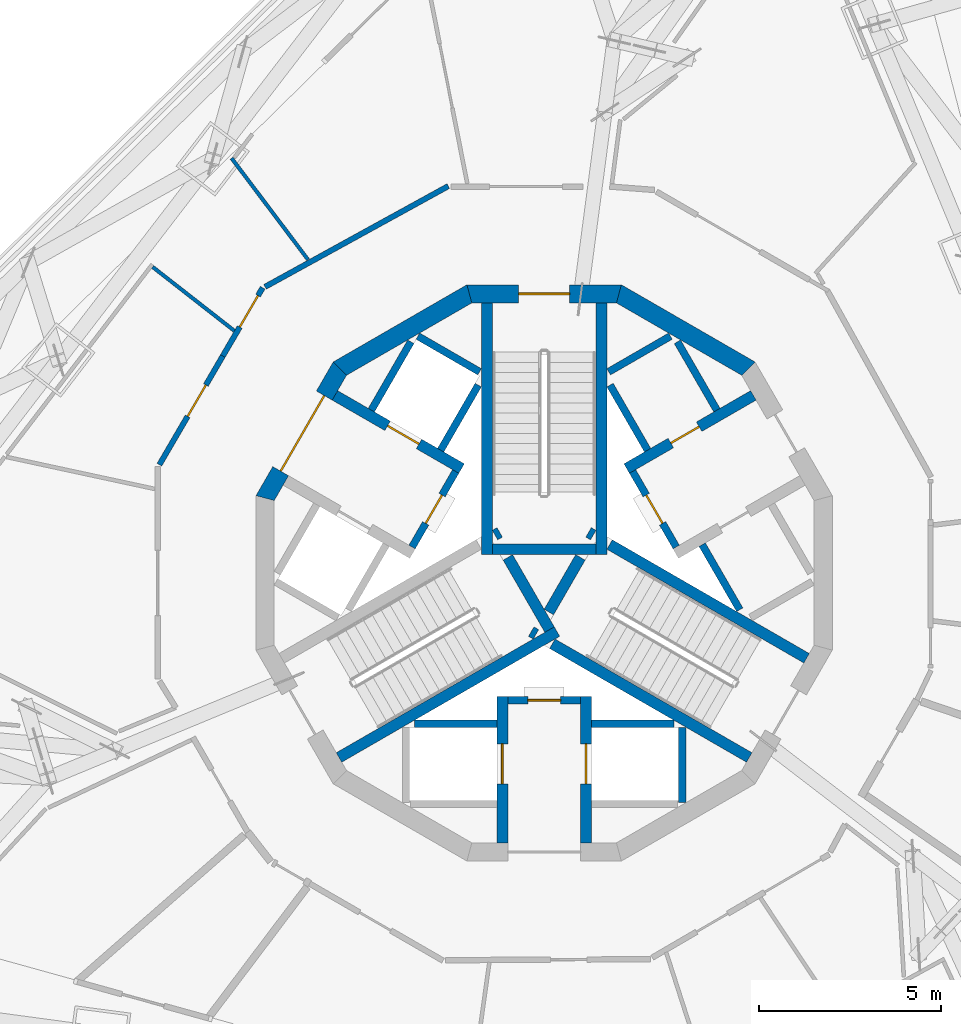
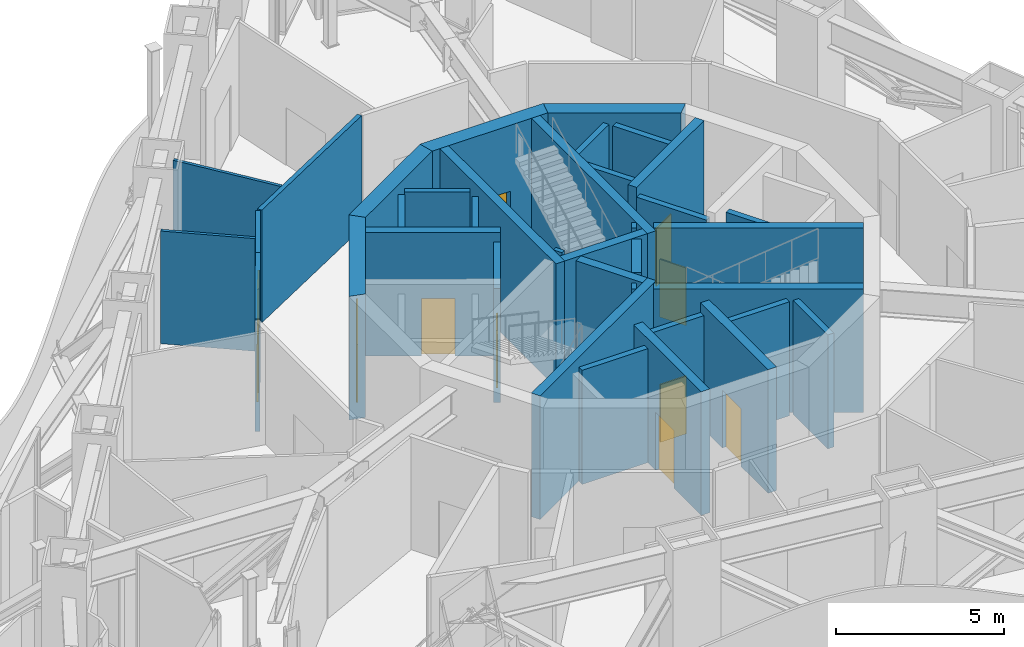
# One storey, part 11 of 22: 37 walls, 11 doors, 11 openings.
"""IFC4 building model written with IfcOpenShell, lengths in metres."""

from ifc_helpers import new_model, si_unit, direction, frame, frame_2d, origin, place, context, subcontext, project, spatial, polyline, rectangle, outline, extrude, material, layer, layer_set, type_object, element, fill, save


model = new_model("IFC4")

# Units and contexts
model_context = context("Model", 3, precision=1e-05, world=origin(), true_north=direction((0.0, 1.0)))
body_context = subcontext(model_context, "Body", "Model", "MODEL_VIEW")
ifc_project = project(units=[si_unit("LENGTHUNIT", "METRE"), si_unit("AREAUNIT", "SQUARE_METRE"), si_unit("VOLUMEUNIT", "CUBIC_METRE"), si_unit("PLANEANGLEUNIT", "RADIAN"), si_unit("MASSUNIT", "GRAM", prefix="KILO")], contexts=[model_context])

# Site, building, storey
site_placement = place(None, origin())
site = spatial("IfcSite", under=ifc_project, at=site_placement, CompositionType="ELEMENT")
building_placement = place(site_placement, origin())
building = spatial("IfcBuilding", under=site, at=building_placement, Name="Trine Commons Tower", CompositionType="ELEMENT")
storey_placement = place(building_placement, frame((0.0, 0.0, 267.300048828125)))
storey = spatial("IfcBuildingStorey", under=building, at=storey_placement, Name="L70", CompositionType="ELEMENT", Elevation=267.300048828125)

# Wall, opening, door
ifc_material_1 = material(Name="Plasterboard on steel stud", Category="steel")
ifc_layer_1 = layer(ifc_material_1, 0.14990234375)
ifc_layer_set_1 = layer_set([ifc_layer_1], Name="Plasterboard on steel stud")
wall_type_1 = type_object("IfcWallType", Name="Compartment wall 150 mm, EI 60", PredefinedType="PARTITIONING", material=ifc_layer_set_1)
wall_1_placement = place(storey_placement, frame((69.42431640625, 65.474365234375, 0.0), z_axis=(0.0, 0.0, 1.0), x_axis=(0.503879802446, 0.863773780968, 0.0)))
wall_1 = element("IfcWall", 1, at=wall_1_placement, inside=storey, type_object=wall_type_1, Name="Partition A70015", PredefinedType="PARTITIONING", context=body_context, shape_type="SweptSolid", body=[
    extrude(rectangle(XDim=3.458984375, YDim=0.14990234375, at=frame_2d((1.7294921875, 0.0))), origin(), (0.0, 0.0, 1.0), 4.099853515625),
])
opening_1_placement = place(wall_1_placement, frame((1.5361328125, 0.0, 0.0)))
opening_1 = element("IfcOpeningElement", 2, at=opening_1_placement, cuts=wall_1, Name="Opening D-A7002", PredefinedType="OPENING", context=body_context, shape_type="SweptSolid", body=[
    extrude(rectangle(XDim=1.0, YDim=2.10009765625, at=frame_2d((0.5, 1.050048828125))), frame((0.0, 0.0849609375, 0.0), z_axis=(0.0, -1.0, 0.0), x_axis=(1.0, 0.0, 0.0)), (0.0, 0.0, 1.0), 0.169921875),
])
ifc_material_2 = material(Name="Timber fire door set", Category="wood")
door_type_1 = type_object("IfcDoorType", Name="Single swing door 1000x2100, FD30S", OperationType="SINGLE_SWING_LEFT", PredefinedType="DOOR", material=ifc_material_2)
door_1_placement = place(opening_1_placement, origin())
door_1 = element("IfcDoor", 3, at=door_1_placement, inside=storey, type_object=door_type_1, Name="Door D-A7002", OperationType="SINGLE_SWING_LEFT", OverallHeight=2.10009765625, OverallWidth=1.0, PredefinedType="DOOR", context=body_context, shape_type="SweptSolid", body=[
    extrude(rectangle(XDim=1.0, YDim=2.10009765625, at=frame_2d((0.5, 1.050048828125))), frame((0.0, 0.02490234375, 0.0), z_axis=(0.0, -1.0, 0.0), x_axis=(1.0, 0.0, 0.0)), (0.0, 0.0, 1.0), 0.050048828125),
])
fill(opening_1, door_1)

wall_2_placement = place(storey_placement, frame((72.2626953125, 70.33984375, 0.0), z_axis=(0.0, 0.0, 1.0), x_axis=(-0.503919904292, -0.86375038643, 0.0)))
wall_2 = element("IfcWall", 4, at=wall_2_placement, inside=storey, type_object=wall_type_1, Name="Partition A70016", PredefinedType="PARTITIONING", context=body_context, shape_type="SweptSolid", body=[
    extrude(rectangle(XDim=2.173828125, YDim=0.14990234375, at=frame_2d((1.0869140625, 0.0))), origin(), (0.0, 0.0, 1.0), 4.099853515625),
])
opening_2_placement = place(wall_2_placement, frame((0.2509765625, 0.0, 0.0)))
opening_2 = element("IfcOpeningElement", 5, at=opening_2_placement, cuts=wall_2, Name="Opening D-A7003", PredefinedType="OPENING", context=body_context, shape_type="SweptSolid", body=[
    extrude(rectangle(XDim=1.0, YDim=2.10009765625, at=frame_2d((0.5, 1.050048828125))), frame((0.0, 0.0849609375, 0.0), z_axis=(0.0, -1.0, 0.0), x_axis=(1.0, 0.0, 0.0)), (0.0, 0.0, 1.0), 0.169921875),
])
door_type_2 = type_object("IfcDoorType", Name="Double swing door 1000x2100, FD30S", OperationType="DOUBLE_DOOR_DOUBLE_SWING", PredefinedType="DOOR", material=ifc_material_2)
door_2_placement = place(opening_2_placement, origin())
door_2 = element("IfcDoor", 6, at=door_2_placement, inside=storey, type_object=door_type_2, Name="Door D-A7003", OperationType="DOUBLE_DOOR_DOUBLE_SWING", OverallHeight=2.10009765625, OverallWidth=1.0, PredefinedType="DOOR", context=body_context, shape_type="SweptSolid", body=[
    extrude(rectangle(XDim=1.0, YDim=2.10009765625, at=frame_2d((0.5, 1.050048828125))), frame((0.0, 0.02490234375, 0.0), z_axis=(0.0, -1.0, 0.0), x_axis=(1.0, 0.0, 0.0)), (0.0, 0.0, 1.0), 0.050048828125),
])
fill(opening_2, door_2)

# Wall
wall_3_placement = place(storey_placement, frame((72.328369140625, 70.36376953125, 0.0), z_axis=(0.0, 0.0, 1.0), x_axis=(0.87632440026, 0.481721439744, 0.0)))
element("IfcWall", 7, at=wall_3_placement, inside=storey, type_object=wall_type_1, Name="Partition A70023", PredefinedType="PARTITIONING", context=body_context, shape_type="SweptSolid", body=[
    extrude(rectangle(XDim=5.747802734375, YDim=0.14990234375, at=frame_2d((2.8740234375, 0.0))), origin(), (0.0, 0.0, 1.0), 4.099853515625),
])

# Wall, opening, door
ifc_material_3 = material(Name="Fire-rated gypsum shaft wall system")
ifc_layer_2 = layer(ifc_material_3, 0.199951171875)
ifc_layer_set_2 = layer_set([ifc_layer_2], Name="Fire-rated gypsum shaft wall system")
wall_type_2 = type_object("IfcWallType", Name="Lobby end wall 200 mm, EI 120", PredefinedType="PARTITIONING", material=ifc_layer_set_2)
wall_4_placement = place(storey_placement, frame((77.569091796875, 65.2890625, 0.0), z_axis=(0.0, 0.0, 1.0), x_axis=(-0.50012165622, -0.865955154139, 0.0)))
wall_4 = element("IfcWall", 8, at=wall_4_placement, inside=storey, type_object=wall_type_2, Name="Lobby end wall L70", PredefinedType="PARTITIONING", context=body_context, shape_type="SweptSolid", body=[
    extrude(rectangle(XDim=2.39990234375, YDim=0.199951171875, at=frame_2d((1.199951171875, 0.0))), origin(), (0.0, 0.0, 1.0), 4.14990234375),
])
opening_3_placement = place(wall_4_placement, frame((0.749755859375, 0.0, 0.0)))
opening_3 = element("IfcOpeningElement", 9, at=opening_3_placement, cuts=wall_4, Name="Opening K18.07", PredefinedType="OPENING", context=body_context, shape_type="SweptSolid", body=[
    extrude(rectangle(XDim=0.89990234375, YDim=2.10009765625, at=frame_2d((0.449951171875, 1.050048828125))), frame((0.0, 0.10986328125, 0.0), z_axis=(0.0, -1.0, 0.0), x_axis=(1.0, 0.0, 0.0)), (0.0, 0.0, 1.0), 0.219970703125),
])
ifc_material_4 = material(Name="Steel door leaf, fire-rated", Category="steel")
door_type_3 = type_object("IfcDoorType", Name="Riser access door, single leaf 900 x 2100, FD60", OperationType="SINGLE_SWING_LEFT", PredefinedType="DOOR", material=ifc_material_4)
door_3_placement = place(opening_3_placement, frame((0.89990234375, 0.0, 0.0), z_axis=(0.0, 0.0, 1.0), x_axis=(-1.0, 0.0, 0.0)))
door_3 = element("IfcDoor", 10, at=door_3_placement, inside=storey, type_object=door_type_3, Name="Riser door, Mechanical riser L70", OperationType="SINGLE_SWING_RIGHT", OverallHeight=2.10009765625, OverallWidth=0.89990234375, PredefinedType="DOOR", context=body_context, shape_type="SweptSolid", body=[
    extrude(rectangle(XDim=0.89990234375, YDim=2.10009765625, at=frame_2d((0.449951171875, 1.050048828125))), frame((0.0, 0.02490234375, 0.0), z_axis=(0.0, -1.0, 0.0), x_axis=(1.0, 0.0, 0.0)), (0.0, 0.0, 1.0), 0.050048828125),
])
fill(opening_3, door_3)

wall_5_placement = place(storey_placement, frame((79.0, 59.0, 0.0), z_axis=(0.0, 0.0, 1.0), x_axis=(1.0, 0.0, 0.0)))
wall_5 = element("IfcWall", 11, at=wall_5_placement, inside=storey, type_object=wall_type_2, Name="Lobby end wall L70", PredefinedType="PARTITIONING", context=body_context, shape_type="SweptSolid", body=[
    extrude(rectangle(XDim=2.0, YDim=0.199951171875, at=frame_2d((1.0, 0.0))), origin(), (0.0, 0.0, 1.0), 4.14990234375),
])
opening_4_placement = place(wall_5_placement, frame((0.550048828125, 0.0, 0.0)))
opening_4 = element("IfcOpeningElement", 12, at=opening_4_placement, cuts=wall_5, Name="Opening K18.09", PredefinedType="OPENING", context=body_context, shape_type="SweptSolid", body=[
    extrude(rectangle(XDim=0.89990234375, YDim=2.10009765625, at=frame_2d((0.449951171875, 1.050048828125))), frame((0.0, 0.10986328125, 0.0), z_axis=(0.0, -1.0, 0.0), x_axis=(1.0, 0.0, 0.0)), (0.0, 0.0, 1.0), 0.219970703125),
])
door_4_placement = place(opening_4_placement, frame((0.89990234375, 0.0, 0.0), z_axis=(0.0, 0.0, 1.0), x_axis=(-1.0, 0.0, 0.0)))
door_4 = element("IfcDoor", 13, at=door_4_placement, inside=storey, type_object=door_type_3, Name="Riser door, Communications riser L70", OperationType="SINGLE_SWING_RIGHT", OverallHeight=2.10009765625, OverallWidth=0.89990234375, PredefinedType="DOOR", context=body_context, shape_type="SweptSolid", body=[
    extrude(rectangle(XDim=0.89990234375, YDim=2.10009765625, at=frame_2d((0.449951171875, 1.050048828125))), frame((0.0, 0.02490234375, 0.0), z_axis=(0.0, -1.0, 0.0), x_axis=(1.0, 0.0, 0.0)), (0.0, 0.0, 1.0), 0.050048828125),
])
fill(opening_4, door_4)

wall_6_placement = place(storey_placement, frame((83.631103515625, 63.2109375, 0.0), z_axis=(0.0, 0.0, 1.0), x_axis=(-0.50012165622, 0.865955154139, 0.0)))
wall_6 = element("IfcWall", 14, at=wall_6_placement, inside=storey, type_object=wall_type_2, Name="Lobby end wall L70", PredefinedType="PARTITIONING", context=body_context, shape_type="SweptSolid", body=[
    extrude(rectangle(XDim=2.39990234375, YDim=0.199951171875, at=frame_2d((1.199951171875, 0.0))), origin(), (0.0, 0.0, 1.0), 4.14990234375),
])
opening_5_placement = place(wall_6_placement, frame((0.749755859375, 0.0, 0.0)))
opening_5 = element("IfcOpeningElement", 15, at=opening_5_placement, cuts=wall_6, Name="Opening K18.05", PredefinedType="OPENING", context=body_context, shape_type="SweptSolid", body=[
    extrude(rectangle(XDim=0.89990234375, YDim=2.10009765625, at=frame_2d((0.449951171875, 1.050048828125))), frame((0.0, 0.10986328125, 0.0), z_axis=(0.0, -1.0, 0.0), x_axis=(1.0, 0.0, 0.0)), (0.0, 0.0, 1.0), 0.219970703125),
])
door_5_placement = place(opening_5_placement, frame((0.89990234375, 0.0, 0.0), z_axis=(0.0, 0.0, 1.0), x_axis=(-1.0, 0.0, 0.0)))
door_5 = element("IfcDoor", 16, at=door_5_placement, inside=storey, type_object=door_type_3, Name="Riser door, Electrical riser L70", OperationType="SINGLE_SWING_LEFT", OverallHeight=2.10009765625, OverallWidth=0.89990234375, PredefinedType="DOOR", context=body_context, shape_type="SweptSolid", body=[
    extrude(rectangle(XDim=0.89990234375, YDim=2.10009765625, at=frame_2d((0.449951171875, 1.050048828125))), frame((0.0, 0.02490234375, 0.0), z_axis=(0.0, -1.0, 0.0), x_axis=(1.0, 0.0, 0.0)), (0.0, 0.0, 1.0), 0.050048828125),
])
fill(opening_5, door_5)

# Walls
ifc_layer_3 = layer(ifc_material_1, 0.10009765625)
ifc_layer_set_3 = layer_set([ifc_layer_3], Name="Plasterboard on steel stud")
wall_type_3 = type_object("IfcWallType", Name="Partition wall 100 mm stud, not rated", PredefinedType="PARTITIONING", material=ifc_layer_set_3)
wall_7_placement = place(storey_placement, frame((69.239013671875, 70.909423828125, 0.0), z_axis=(0.0, 0.0, 1.0), x_axis=(0.787924330423, -0.615772075956, 0.0)))
element("IfcWall", 17, at=wall_7_placement, inside=storey, type_object=wall_type_3, Name="Partition A70012", PredefinedType="PARTITIONING", context=body_context, shape_type="SweptSolid", body=[
    extrude(rectangle(XDim=2.84912109375, YDim=0.10009765625, at=frame_2d((1.424560546875, 0.0))), origin(), (0.0, 0.0, 1.0), 4.099853515625),
])
wall_8_placement = place(storey_placement, frame((71.408447265625, 73.898681640625, 0.0), z_axis=(0.0, 0.0, 1.0), x_axis=(0.601889016613, -0.798579746601, 0.0)))
element("IfcWall", 18, at=wall_8_placement, inside=storey, type_object=wall_type_3, Name="Partition A70019", PredefinedType="PARTITIONING", context=body_context, shape_type="SweptSolid", body=[
    extrude(rectangle(XDim=3.49169921875, YDim=0.10009765625, at=frame_2d((1.745849609375, 0.0))), origin(), (0.0, 0.0, 1.0), 4.099853515625),
])

# Wall, opening, door
ifc_material_5 = material(Name="Concrete C50/60", Category="concrete")
ifc_layer_4 = layer(ifc_material_5, 0.300048828125)
ifc_layer_set_4 = layer_set([ifc_layer_4], Name="Concrete C50/60")
wall_type_4 = type_object("IfcWallType", Name="RC shear wall 300 mm, C50/60", PredefinedType="SHEAR", material=ifc_layer_set_4)
wall_9_placement = place(storey_placement, frame((77.73095703125, 65.368896484375, 0.0), z_axis=(0.0, 0.0, 1.0), x_axis=(-0.866056154689, 0.499946734088, 0.0)))
wall_9 = element("IfcWall", 19, at=wall_9_placement, inside=storey, type_object=wall_type_4, Name="Core cross wall SWD-02 L70", PredefinedType="SHEAR", context=body_context, shape_type="SweptSolid", body=[
    extrude(rectangle(XDim=4.0205078125, YDim=0.300048828125, at=frame_2d((2.01025390625, 0.0))), origin(), (0.0, 0.0, 1.0), 4.5),
])
opening_6_placement = place(wall_9_placement, frame((1.350341796875, 0.0, 0.0)))
opening_6 = element("IfcOpeningElement", 20, at=opening_6_placement, cuts=wall_9, Name="Opening LD8", PredefinedType="OPENING", context=body_context, shape_type="SweptSolid", body=[
    extrude(rectangle(XDim=1.0, YDim=2.10009765625, at=frame_2d((0.5, 1.050048828125))), frame((0.0, 0.159912109375, 0.0), z_axis=(0.0, -1.0, 0.0), x_axis=(1.0, 0.0, 0.0)), (0.0, 0.0, 1.0), 0.320068359375),
])
ifc_material_6 = material(Name="Stainless steel sliding door leaves", Category="steel")
door_type_4 = type_object("IfcDoorType", Name="Lift landing door, centre-opening sliding 1000 x 2100, FD90", OperationType="DOUBLE_DOOR_SLIDING", PredefinedType="DOOR", material=ifc_material_6)
door_6_placement = place(opening_6_placement, origin())
door_6 = element("IfcDoor", 21, at=door_6_placement, inside=storey, type_object=door_type_4, Name="Lift landing door HR4 L70", OperationType="DOUBLE_DOOR_SLIDING", OverallHeight=2.10009765625, OverallWidth=1.0, PredefinedType="DOOR", context=body_context, shape_type="SweptSolid", body=[
    extrude(rectangle(XDim=1.0, YDim=2.10009765625, at=frame_2d((0.5, 1.050048828125))), frame((0.0, 0.02490234375, 0.0), z_axis=(0.0, -1.0, 0.0), x_axis=(1.0, 0.0, 0.0)), (0.0, 0.0, 1.0), 0.050048828125),
])
fill(opening_6, door_6)

wall_10_placement = place(storey_placement, frame((78.85009765625, 59.10009765625, 0.0), z_axis=(0.0, 0.0, 1.0), x_axis=(0.0, -1.0, 0.0)))
wall_10 = element("IfcWall", 22, at=wall_10_placement, inside=storey, type_object=wall_type_4, Name="Core cross wall SWD-03 L70", PredefinedType="SHEAR", context=body_context, shape_type="SweptSolid", body=[
    extrude(rectangle(XDim=4.02099609375, YDim=0.300048828125, at=frame_2d((2.010498046875, 0.0))), origin(), (0.0, 0.0, 1.0), 4.5),
])
opening_7_placement = place(wall_10_placement, frame((1.300048828125, 0.0, 0.0)))
opening_7 = element("IfcOpeningElement", 23, at=opening_7_placement, cuts=wall_10, Name="Opening LD10", PredefinedType="OPENING", context=body_context, shape_type="SweptSolid", body=[
    extrude(rectangle(XDim=1.10009765625, YDim=2.10009765625, at=frame_2d((0.550048828125, 1.050048828125))), frame((0.0, 0.159912109375, 0.0), z_axis=(0.0, -1.0, 0.0), x_axis=(1.0, 0.0, 0.0)), (0.0, 0.0, 1.0), 0.320068359375),
])
door_type_5 = type_object("IfcDoorType", Name="Lift landing door, centre-opening sliding 1100 x 2100, FD90", OperationType="DOUBLE_DOOR_SLIDING", PredefinedType="DOOR", material=ifc_material_6)
door_7_placement = place(opening_7_placement, origin())
door_7 = element("IfcDoor", 24, at=door_7_placement, inside=storey, type_object=door_type_5, Name="Lift landing door FF2 L70", OperationType="DOUBLE_DOOR_SLIDING", OverallHeight=2.10009765625, OverallWidth=1.10009765625, PredefinedType="DOOR", context=body_context, shape_type="SweptSolid", body=[
    extrude(rectangle(XDim=1.10009765625, YDim=2.10009765625, at=frame_2d((0.550048828125, 1.050048828125))), frame((0.0, 0.02490234375, 0.0), z_axis=(0.0, -1.0, 0.0), x_axis=(1.0, 0.0, 0.0)), (0.0, 0.0, 1.0), 0.050048828125),
])
fill(opening_7, door_7)

wall_11_placement = place(storey_placement, frame((81.14990234375, 59.10009765625, 0.0), z_axis=(0.0, 0.0, 1.0), x_axis=(0.0, -1.0, 0.0)))
wall_11 = element("IfcWall", 25, at=wall_11_placement, inside=storey, type_object=wall_type_4, Name="Core cross wall SWD-04 L70", PredefinedType="SHEAR", context=body_context, shape_type="SweptSolid", body=[
    extrude(rectangle(XDim=4.02099609375, YDim=0.300048828125, at=frame_2d((2.010498046875, 0.0))), origin(), (0.0, 0.0, 1.0), 4.5),
])
opening_8_placement = place(wall_11_placement, frame((1.300048828125, 0.0, 0.0)))
opening_8 = element("IfcOpeningElement", 26, at=opening_8_placement, cuts=wall_11, Name="Opening LD9", PredefinedType="OPENING", context=body_context, shape_type="SweptSolid", body=[
    extrude(rectangle(XDim=1.10009765625, YDim=2.10009765625, at=frame_2d((0.550048828125, 1.050048828125))), frame((0.0, 0.159912109375, 0.0), z_axis=(0.0, -1.0, 0.0), x_axis=(1.0, 0.0, 0.0)), (0.0, 0.0, 1.0), 0.320068359375),
])
door_8_placement = place(opening_8_placement, origin())
door_8 = element("IfcDoor", 27, at=door_8_placement, inside=storey, type_object=door_type_5, Name="Lift landing door FF1 L70", OperationType="DOUBLE_DOOR_SLIDING", OverallHeight=2.10009765625, OverallWidth=1.10009765625, PredefinedType="DOOR", context=body_context, shape_type="SweptSolid", body=[
    extrude(rectangle(XDim=1.10009765625, YDim=2.10009765625, at=frame_2d((0.550048828125, 1.050048828125))), frame((0.0, 0.02490234375, 0.0), z_axis=(0.0, -1.0, 0.0), x_axis=(1.0, 0.0, 0.0)), (0.0, 0.0, 1.0), 0.050048828125),
])
fill(opening_8, door_8)

wall_12_placement = place(storey_placement, frame((82.26904296875, 65.368896484375, 0.0), z_axis=(0.0, 0.0, 1.0), x_axis=(0.866056154689, 0.499946734088, 0.0)))
wall_12 = element("IfcWall", 28, at=wall_12_placement, inside=storey, type_object=wall_type_4, Name="Core cross wall SWD-05 L70", PredefinedType="SHEAR", context=body_context, shape_type="SweptSolid", body=[
    extrude(rectangle(XDim=4.0205078125, YDim=0.300048828125, at=frame_2d((2.01025390625, 0.0))), origin(), (0.0, 0.0, 1.0), 4.5),
])
opening_9_placement = place(wall_12_placement, frame((1.400390625, 0.0, 0.0)))
opening_9 = element("IfcOpeningElement", 29, at=opening_9_placement, cuts=wall_12, Name="Opening K18.10", PredefinedType="OPENING", context=body_context, shape_type="SweptSolid", body=[
    extrude(rectangle(XDim=0.89990234375, YDim=2.10009765625, at=frame_2d((0.449951171875, 1.050048828125))), frame((0.0, 0.159912109375, 0.0), z_axis=(0.0, -1.0, 0.0), x_axis=(1.0, 0.0, 0.0)), (0.0, 0.0, 1.0), 0.320068359375),
])
door_type_6 = type_object("IfcDoorType", Name="Core room door, single leaf 900 x 2100, FD30S", OperationType="SINGLE_SWING_LEFT", PredefinedType="DOOR", material=ifc_material_4)
door_9_placement = place(opening_9_placement, origin())
door_9 = element("IfcDoor", 30, at=door_9_placement, inside=storey, type_object=door_type_6, Name="Door to Pantry L70", OperationType="SINGLE_SWING_LEFT", OverallHeight=2.10009765625, OverallWidth=0.89990234375, PredefinedType="DOOR", context=body_context, shape_type="SweptSolid", body=[
    extrude(rectangle(XDim=0.89990234375, YDim=2.10009765625, at=frame_2d((0.449951171875, 1.050048828125))), frame((0.0, 0.02490234375, 0.0), z_axis=(0.0, -1.0, 0.0), x_axis=(1.0, 0.0, 0.0)), (0.0, 0.0, 1.0), 0.050048828125),
])
fill(opening_9, door_9)

# Walls
wall_13_placement = place(storey_placement, frame((78.425048828125, 63.0009765625, 0.0), z_axis=(0.0, 0.0, 1.0), x_axis=(0.0, 1.0, 0.0)))
element("IfcWall", 31, at=wall_13_placement, inside=storey, type_object=wall_type_4, Name="Core cross wall SWD-08 L70", PredefinedType="SHEAR", context=body_context, shape_type="SweptSolid", body=[
    extrude(rectangle(XDim=6.919921875, YDim=0.300048828125, at=frame_2d((3.4599609375, 0.0))), origin(), (0.0, 0.0, 1.0), 4.5),
])
wall_14_placement = place(storey_placement, frame((78.779052734375, 63.614013671875, 0.0), z_axis=(0.0, 0.0, 1.0), x_axis=(-0.867737973955, -0.497021939713, 0.0)))
element("IfcWall", 32, at=wall_14_placement, inside=storey, type_object=wall_type_4, Name="Core cross wall SWD-09 L70", PredefinedType="SHEAR", context=body_context, shape_type="SweptSolid", body=[
    extrude(rectangle(XDim=0.14892578125, YDim=0.300048828125, at=frame_2d((0.074462890625, 0.0))), origin(), (0.0, 0.0, 1.0), 4.5),
])
wall_15_placement = place(storey_placement, frame((79.0029296875, 62.926025390625, 0.0), z_axis=(0.0, 0.0, 1.0), x_axis=(0.499965247104, -0.866045467449, 0.0)))
element("IfcWall", 33, at=wall_15_placement, inside=storey, type_object=wall_type_4, Name="Core cross wall SWD-10 L70", PredefinedType="SHEAR", context=body_context, shape_type="SweptSolid", body=[
    extrude(rectangle(XDim=2.292236328125, YDim=0.300048828125, at=frame_2d((1.14599609375, 0.0))), origin(), (0.0, 0.0, 1.0), 4.5),
])
wall_16_placement = place(storey_placement, frame((79.64599609375, 60.885986328125, 0.0), z_axis=(0.0, 0.0, 1.0), x_axis=(0.867331893649, -0.497730234424, 0.0)))
element("IfcWall", 34, at=wall_16_placement, inside=storey, type_object=wall_type_4, Name="Core cross wall SWD-11 L70", PredefinedType="SHEAR", context=body_context, shape_type="SweptSolid", body=[
    extrude(rectangle(XDim=0.148681640625, YDim=0.300048828125, at=frame_2d((0.07421875, 0.0))), origin(), (0.0, 0.0, 1.0), 4.5),
])
wall_17_placement = place(storey_placement, frame((80.1298828125, 61.424072265625, 0.0), z_axis=(0.0, 0.0, 1.0), x_axis=(0.500014901547, 0.866016800201, 0.0)))
element("IfcWall", 35, at=wall_17_placement, inside=storey, type_object=wall_type_4, Name="Core cross wall SWD-12 L70", PredefinedType="SHEAR", context=body_context, shape_type="SweptSolid", body=[
    extrude(rectangle(XDim=1.734375, YDim=0.300048828125, at=frame_2d((0.8671875, 0.0))), origin(), (0.0, 0.0, 1.0), 4.5),
])
wall_18_placement = place(storey_placement, frame((80.22509765625, 60.552001953125, 0.0), z_axis=(0.0, 0.0, 1.0), x_axis=(0.866004133274, -0.500036839795, 0.0)))
element("IfcWall", 36, at=wall_18_placement, inside=storey, type_object=wall_type_4, Name="Core cross wall SWD-13 L70", PredefinedType="SHEAR", context=body_context, shape_type="SweptSolid", body=[
    extrude(rectangle(XDim=6.25146484375, YDim=0.300048828125, at=frame_2d((3.125732421875, 0.0))), origin(), (0.0, 0.0, 1.0), 4.5),
])
wall_19_placement = place(storey_placement, frame((80.35400390625, 60.885986328125, 0.0), z_axis=(0.0, 0.0, 1.0), x_axis=(-0.86602871973, -0.49999425657, 0.0)))
element("IfcWall", 37, at=wall_19_placement, inside=storey, type_object=wall_type_4, Name="Core cross wall SWD-14 L70", PredefinedType="SHEAR", context=body_context, shape_type="SweptSolid", body=[
    extrude(rectangle(XDim=6.919921875, YDim=0.300048828125, at=frame_2d((3.4599609375, 0.0))), origin(), (0.0, 0.0, 1.0), 4.5),
])
wall_20_placement = place(storey_placement, frame((81.220947265625, 63.614013671875, 0.0), z_axis=(0.0, 0.0, 1.0), x_axis=(0.867737973955, -0.497021939713, 0.0)))
element("IfcWall", 38, at=wall_20_placement, inside=storey, type_object=wall_type_4, Name="Core cross wall SWD-15 L70", PredefinedType="SHEAR", context=body_context, shape_type="SweptSolid", body=[
    extrude(rectangle(XDim=0.14892578125, YDim=0.300048828125, at=frame_2d((0.074462890625, 0.0))), origin(), (0.0, 0.0, 1.0), 4.5),
])
wall_21_placement = place(storey_placement, frame((81.425048828125, 63.15087890625, 0.0), z_axis=(0.0, 0.0, 1.0), x_axis=(-1.0, 0.0, 0.0)))
element("IfcWall", 39, at=wall_21_placement, inside=storey, type_object=wall_type_4, Name="Core cross wall SWD-16 L70", PredefinedType="SHEAR", context=body_context, shape_type="SweptSolid", body=[
    extrude(rectangle(XDim=2.85009765625, YDim=0.300048828125, at=frame_2d((1.425048828125, 0.0))), origin(), (0.0, 0.0, 1.0), 4.5),
])
wall_22_placement = place(storey_placement, frame((81.574951171875, 63.0009765625, 0.0), z_axis=(0.0, 0.0, 1.0), x_axis=(0.0, 1.0, 0.0)))
element("IfcWall", 40, at=wall_22_placement, inside=storey, type_object=wall_type_4, Name="Core cross wall SWD-17 L70", PredefinedType="SHEAR", context=body_context, shape_type="SweptSolid", body=[
    extrude(rectangle(XDim=6.919921875, YDim=0.300048828125, at=frame_2d((3.4599609375, 0.0))), origin(), (0.0, 0.0, 1.0), 4.5),
])
wall_23_placement = place(storey_placement, frame((81.800048828125, 63.280029296875, 0.0), z_axis=(0.0, 0.0, 1.0), x_axis=(0.866013897511, -0.50001992892, 0.0)))
element("IfcWall", 41, at=wall_23_placement, inside=storey, type_object=wall_type_4, Name="Core cross wall SWD-18 L70", PredefinedType="SHEAR", context=body_context, shape_type="SweptSolid", body=[
    extrude(rectangle(XDim=6.251708984375, YDim=0.300048828125, at=frame_2d((3.1259765625, 0.0))), origin(), (0.0, 0.0, 1.0), 4.5),
])
ifc_layer_5 = layer(ifc_material_5, 0.5)
ifc_layer_set_5 = layer_set([ifc_layer_5], Name="Concrete C50/60")
wall_type_5 = type_object("IfcWallType", Name="RC shear wall 500 mm, C50/60", PredefinedType="SHEAR", material=ifc_layer_set_5)
wall_24_placement = place(storey_placement, frame((85.67333984375, 68.081787109375, 0.0), z_axis=(0.0, 0.0, 1.0), x_axis=(-0.866029463428, 0.499992968425, 0.0)))
element("IfcWall", 42, at=wall_24_placement, inside=storey, type_object=wall_type_5, Name="Core wall CWH-03 L70", PredefinedType="SHEAR", context=body_context, shape_type="SweptSolid", body=[
    extrude(outline(polyline([(0.0, -0.25), (4.24462890625, -0.25), (4.110595703125, 0.25), (0.134033203125, 0.25), (0.0, -0.25)])), origin(), (0.0, 0.0, 1.0), 4.5),
])

# Wall, opening, door
wall_25_placement = place(storey_placement, frame((82.122314453125, 70.170654296875, 0.0), z_axis=(0.0, 0.0, 1.0), x_axis=(-1.0, 0.0, 0.0)))
wall_25 = element("IfcWall", 43, at=wall_25_placement, inside=storey, type_object=wall_type_5, Name="Core wall CWH-04 L70", PredefinedType="SHEAR", context=body_context, shape_type="SweptSolid", body=[
    extrude(outline(polyline([(0.0, -0.25), (4.24462890625, -0.25), (4.110595703125, 0.25), (0.134033203125, 0.25), (0.0, -0.25)])), origin(), (0.0, 0.0, 1.0), 4.5),
])
opening_10_placement = place(wall_25_placement, frame((1.42236328125, 0.0, 0.0)))
opening_10 = element("IfcOpeningElement", 44, at=opening_10_placement, cuts=wall_25, Name="Opening K18.01", PredefinedType="OPENING", context=body_context, shape_type="SweptSolid", body=[
    extrude(rectangle(XDim=1.39990234375, YDim=2.10009765625, at=frame_2d((0.699951171875, 1.050048828125))), frame((0.0, 0.260009765625, 0.0), z_axis=(0.0, -1.0, 0.0), x_axis=(1.0, 0.0, 0.0)), (0.0, 0.0, 1.0), 0.52001953125),
])
ifc_material_7 = material(Name="Steel door leaves, fire-rated", Category="steel")
door_type_7 = type_object("IfcDoorType", Name="Stair door, double leaf 1400 x 2100, FD90", OperationType="DOUBLE_DOOR_SINGLE_SWING", PredefinedType="DOOR", material=ifc_material_7)
door_10_placement = place(opening_10_placement, origin())
door_10 = element("IfcDoor", 45, at=door_10_placement, inside=storey, type_object=door_type_7, Name="Stair door to Exit stair ST1D L70", OperationType="DOUBLE_DOOR_SINGLE_SWING", OverallHeight=2.10009765625, OverallWidth=1.39990234375, PredefinedType="DOOR", context=body_context, shape_type="SweptSolid", body=[
    extrude(rectangle(XDim=1.39990234375, YDim=2.10009765625, at=frame_2d((0.699951171875, 1.050048828125))), frame((0.0, 0.02490234375, 0.0), z_axis=(0.0, -1.0, 0.0), x_axis=(1.0, 0.0, 0.0)), (0.0, 0.0, 1.0), 0.050048828125),
])
fill(opening_10, door_10)

# Wall
wall_26_placement = place(storey_placement, frame((78.002685546875, 70.2041015625, 0.0), z_axis=(0.0, 0.0, 1.0), x_axis=(-0.866029463428, -0.499992968425, 0.0)))
element("IfcWall", 46, at=wall_26_placement, inside=storey, type_object=wall_type_5, Name="Core wall CWH-05 L70", PredefinedType="SHEAR", context=body_context, shape_type="SweptSolid", body=[
    extrude(outline(polyline([(0.0, -0.25), (4.24462890625, -0.25), (4.110595703125, 0.25), (0.134033203125, 0.25), (0.0, -0.25)])), origin(), (0.0, 0.0, 1.0), 4.5),
])

# Wall, opening, door
wall_27_placement = place(storey_placement, frame((74.418212890625, 68.17333984375, 0.0), z_axis=(0.0, 0.0, 1.0), x_axis=(-0.499992968425, -0.866029463428, 0.0)))
wall_27 = element("IfcWall", 47, at=wall_27_placement, inside=storey, type_object=wall_type_5, Name="Core wall CWH-06 L70", PredefinedType="SHEAR", context=body_context, shape_type="SweptSolid", body=[
    extrude(outline(polyline([(0.0, -0.25), (4.24462890625, -0.25), (4.110595703125, 0.25), (0.134033203125, 0.25), (0.0, -0.25)])), origin(), (0.0, 0.0, 1.0), 4.5),
])
opening_11_placement = place(wall_27_placement, frame((0.92236328125, 0.0, 0.0)))
opening_11 = element("IfcOpeningElement", 48, at=opening_11_placement, cuts=wall_27, Name="Opening K18.06", PredefinedType="OPENING", context=body_context, shape_type="SweptSolid", body=[
    extrude(rectangle(XDim=2.39990234375, YDim=2.10009765625, at=frame_2d((1.199951171875, 1.050048828125))), frame((0.0, 0.260009765625, 0.0), z_axis=(0.0, -1.0, 0.0), x_axis=(1.0, 0.0, 0.0)), (0.0, 0.0, 1.0), 0.52001953125),
])
door_type_8 = type_object("IfcDoorType", Name="Lobby door, double leaf 2400 x 2100, FD60", OperationType="DOUBLE_DOOR_SINGLE_SWING", PredefinedType="DOOR", material=ifc_material_7)
door_11_placement = place(opening_11_placement, origin())
door_11 = element("IfcDoor", 49, at=door_11_placement, inside=storey, type_object=door_type_8, Name="Lobby door, Passenger lift lobby B L70", OperationType="DOUBLE_DOOR_SINGLE_SWING", OverallHeight=2.10009765625, OverallWidth=2.39990234375, PredefinedType="DOOR", context=body_context, shape_type="SweptSolid", body=[
    extrude(rectangle(XDim=2.39990234375, YDim=2.10009765625, at=frame_2d((1.199951171875, 1.050048828125))), frame((0.0, 0.02490234375, 0.0), z_axis=(0.0, -1.0, 0.0), x_axis=(1.0, 0.0, 0.0)), (0.0, 0.0, 1.0), 0.050048828125),
])
fill(opening_11, door_11)

# Walls
ifc_layer_6 = layer(ifc_material_3, 0.199951171875)
ifc_layer_set_6 = layer_set([ifc_layer_6], Name="Fire-rated gypsum shaft wall system")
wall_type_6 = type_object("IfcWallType", Name="Shaft wall 200 mm, EI 120", PredefinedType="PARTITIONING", material=ifc_layer_set_6)
wall_28_placement = place(storey_placement, frame((75.2509765625, 66.97412109375, 0.0), z_axis=(0.0, 0.0, 1.0), x_axis=(0.500060114735, 0.865990693744, 0.0)))
element("IfcWall", 50, at=wall_28_placement, inside=storey, type_object=wall_type_6, Name="Shaft wall L70", PredefinedType="PARTITIONING", context=body_context, shape_type="SweptSolid", body=[
    extrude(rectangle(XDim=2.169677734375, YDim=0.199951171875, at=frame_2d((1.0849609375, 0.0))), origin(), (0.0, 0.0, 1.0), 4.14990234375),
])
wall_29_placement = place(storey_placement, frame((77.156005859375, 65.8740234375, 0.0), z_axis=(0.0, 0.0, 1.0), x_axis=(0.499865770674, 0.866102887253, 0.0)))
element("IfcWall", 51, at=wall_29_placement, inside=storey, type_object=wall_type_6, Name="Shaft wall L70", PredefinedType="PARTITIONING", context=body_context, shape_type="SweptSolid", body=[
    extrude(rectangle(XDim=2.064453125, YDim=0.199951171875, at=frame_2d((1.0322265625, 0.0))), origin(), (0.0, 0.0, 1.0), 4.14990234375),
])
wall_30_placement = place(storey_placement, frame((78.22509765625, 68.028076171875, 0.0), z_axis=(0.0, 0.0, 1.0), x_axis=(-0.866071410914, 0.499920304846, 0.0)))
element("IfcWall", 52, at=wall_30_placement, inside=storey, type_object=wall_type_6, Name="Shaft wall L70", PredefinedType="PARTITIONING", context=body_context, shape_type="SweptSolid", body=[
    extrude(rectangle(XDim=1.958251953125, YDim=0.199951171875, at=frame_2d((0.97900390625, 0.0))), origin(), (0.0, 0.0, 1.0), 4.14990234375),
])
for number, where, z_axis, x_axis, name in (
    (53, (78.699951171875, 58.35009765625, 0.0), (0.0, 0.0, 1.0), (-1.0, 0.0, 0.0), "Shaft wall L70"),
    (54, (81.300048828125, 58.35009765625, 0.0), (0.0, 0.0, 1.0), (1.0, 0.0, 0.0), "Shaft wall L70"),
):
    element("IfcWall", number, at=place(storey_placement, frame(where, z_axis=z_axis, x_axis=x_axis)), inside=storey, type_object=wall_type_6, Name=name, PredefinedType="PARTITIONING", context=body_context, shape_type="SweptSolid", body=[
        extrude(rectangle(XDim=2.264892578125, YDim=0.199951171875, at=frame_2d((1.13232421875, 0.0))), origin(), (0.0, 0.0, 1.0), 4.14990234375),
    ])
wall_31_placement = place(storey_placement, frame((81.77490234375, 68.028076171875, 0.0), z_axis=(0.0, 0.0, 1.0), x_axis=(0.866071410914, 0.499920304846, 0.0)))
element("IfcWall", 55, at=wall_31_placement, inside=storey, type_object=wall_type_6, Name="Shaft wall L70", PredefinedType="PARTITIONING", context=body_context, shape_type="SweptSolid", body=[
    extrude(rectangle(XDim=1.958251953125, YDim=0.199951171875, at=frame_2d((0.97900390625, 0.0))), origin(), (0.0, 0.0, 1.0), 4.14990234375),
])
wall_32_placement = place(storey_placement, frame((82.843994140625, 65.8740234375, 0.0), z_axis=(0.0, 0.0, 1.0), x_axis=(-0.499865770674, 0.866102887253, 0.0)))
element("IfcWall", 56, at=wall_32_placement, inside=storey, type_object=wall_type_6, Name="Shaft wall L70", PredefinedType="PARTITIONING", context=body_context, shape_type="SweptSolid", body=[
    extrude(rectangle(XDim=2.064453125, YDim=0.199951171875, at=frame_2d((1.0322265625, 0.0))), origin(), (0.0, 0.0, 1.0), 4.14990234375),
])
wall_33_placement = place(storey_placement, frame((83.800048828125, 58.257080078125, 0.0), z_axis=(0.0, 0.0, 1.0), x_axis=(0.0, -1.0, 0.0)))
element("IfcWall", 57, at=wall_33_placement, inside=storey, type_object=wall_type_6, Name="Shaft wall L70", PredefinedType="PARTITIONING", context=body_context, shape_type="SweptSolid", body=[
    extrude(rectangle(XDim=2.073974609375, YDim=0.199951171875, at=frame_2d((1.037109375, 0.0))), origin(), (0.0, 0.0, 1.0), 4.14990234375),
])
wall_34_placement = place(storey_placement, frame((84.343994140625, 63.27587890625, 0.0), z_axis=(0.0, 0.0, 1.0), x_axis=(0.500271688072, -0.86586848777, 0.0)))
element("IfcWall", 58, at=wall_34_placement, inside=storey, type_object=wall_type_6, Name="Shaft wall L70", PredefinedType="PARTITIONING", context=body_context, shape_type="SweptSolid", body=[
    extrude(rectangle(XDim=2.064697265625, YDim=0.199951171875, at=frame_2d((1.0322265625, 0.0))), origin(), (0.0, 0.0, 1.0), 4.14990234375),
])
wall_35_placement = place(storey_placement, frame((84.7490234375, 66.97412109375, 0.0), z_axis=(0.0, 0.0, 1.0), x_axis=(-0.500060114735, 0.865990693744, 0.0)))
element("IfcWall", 59, at=wall_35_placement, inside=storey, type_object=wall_type_6, Name="Shaft wall L70", PredefinedType="PARTITIONING", context=body_context, shape_type="SweptSolid", body=[
    extrude(rectangle(XDim=2.169677734375, YDim=0.199951171875, at=frame_2d((1.0849609375, 0.0))), origin(), (0.0, 0.0, 1.0), 4.14990234375),
])

save(model, "model.ifc")
